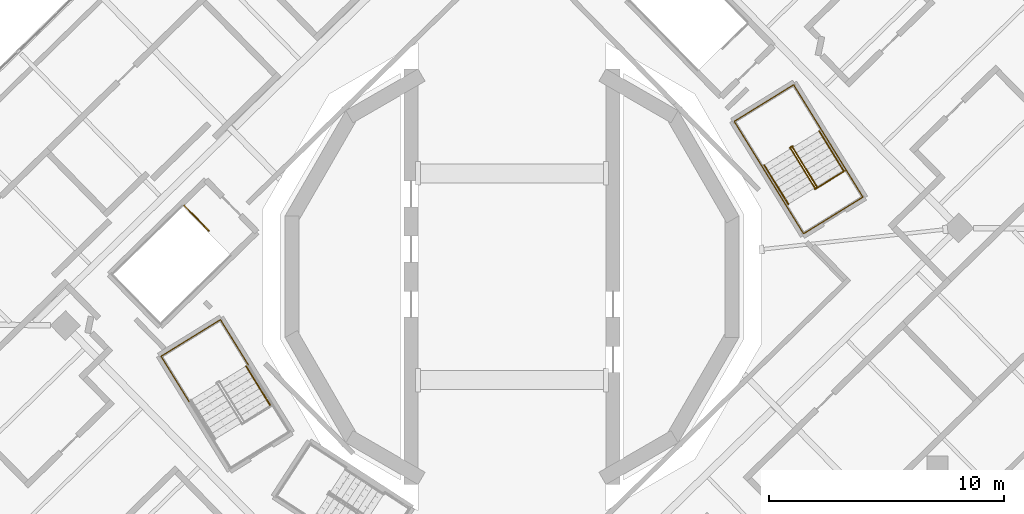
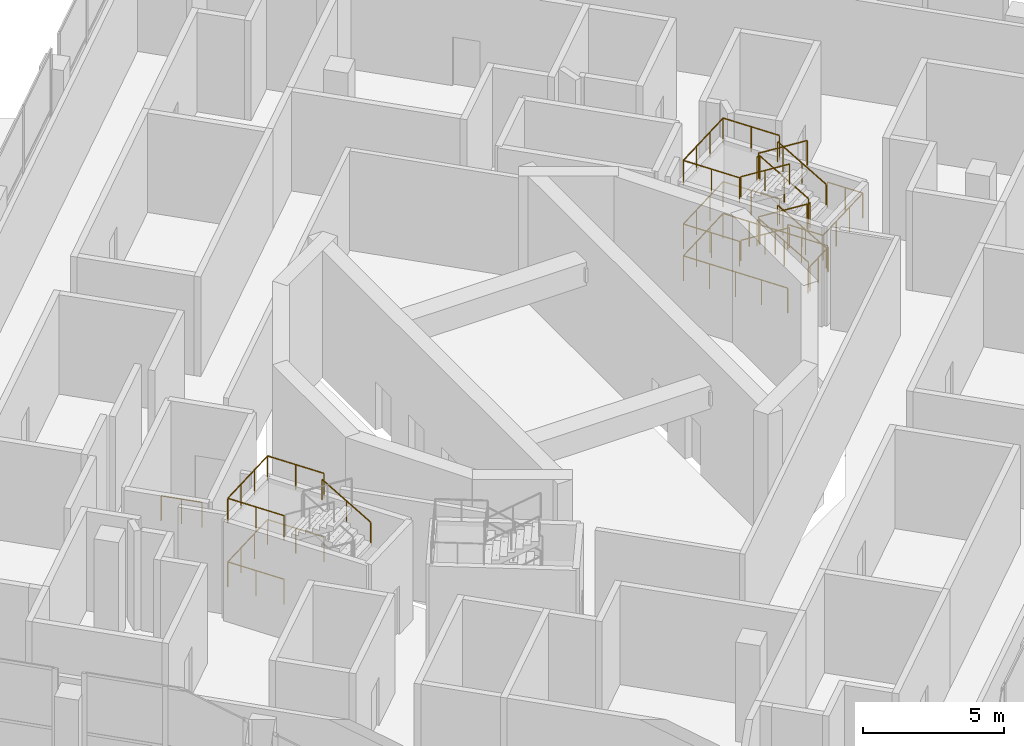
# One storey, part 19 of 20: 18 railings.
"""IFC4 building model written with IfcOpenShell, lengths in metres."""

from ifc_helpers import new_model, si_unit, direction, frame, origin, origin_2d, place, context, subcontext, project, spatial, circle, extrude, material, type_object, element, save


model = new_model("IFC4")

# Units and contexts
model_context = context("Model", 3, precision=1e-05, world=origin(), true_north=direction((0.0, 1.0)))
body_context = subcontext(model_context, "Body", "Model", "MODEL_VIEW")
ifc_project = project(units=[si_unit("LENGTHUNIT", "METRE"), si_unit("AREAUNIT", "SQUARE_METRE"), si_unit("VOLUMEUNIT", "CUBIC_METRE"), si_unit("PLANEANGLEUNIT", "RADIAN"), si_unit("MASSUNIT", "GRAM", prefix="KILO")], contexts=[model_context])

# Site, building, storey
site_placement = place(None, origin())
site = spatial("IfcSite", under=ifc_project, at=site_placement, CompositionType="ELEMENT")
building_placement = place(site_placement, origin())
building = spatial("IfcBuilding", under=site, at=building_placement, Name="Cantera Rosa Tower", CompositionType="ELEMENT")
storey_placement = place(building_placement, frame((0.0, 0.0, 245.0)))
storey = spatial("IfcBuildingStorey", under=building, at=storey_placement, Name="L54", CompositionType="ELEMENT", Elevation=245.0)

# Railings
ifc_material_1 = material(Name="Steel S355J2 (EN 10025-2)", Category="steel")
railing_type_1 = type_object("IfcRailingType", Name="STAIR GUARD 1100", PredefinedType="GUARDRAIL", material=ifc_material_1)
railing_1_placement = place(storey_placement, frame((14.174072265625, 4.513916015625, 0.0)))
element("IfcRailing", 1, at=railing_1_placement, inside=storey, type_object=railing_type_1, Name="L54 ST-41 top well guard 1", PredefinedType="GUARDRAIL", context=body_context, shape_type="SweptSolid", body=[
    extrude(circle(Radius=0.02392578125, at=origin_2d()), frame((0.0, 0.0, 1.076171875), z_axis=(-0.851138143202, -0.52494176933, 0.0), x_axis=(0.52494176933, -0.851138143202, 0.0)), (0.0, 0.0, 1.0), 1.5),
    extrude(circle(Radius=0.02099609375, at=origin_2d()), origin(), (0.0, 0.0, 1.0), 1.052001953125),
    extrude(circle(Radius=0.02099609375, at=origin_2d()), frame((-0.63818359375, -0.3935546875, 0.0)), (0.0, 0.0, 1.0), 1.052001953125),
    extrude(circle(Radius=0.02099609375, at=origin_2d()), frame((-1.276611328125, -0.787353515625, 0.0)), (0.0, 0.0, 1.0), 1.052001953125),
])
railing_2_placement = place(storey_placement, frame((14.192626953125, 4.59814453125, 0.0)))
element("IfcRailing", 2, at=railing_2_placement, inside=storey, type_object=railing_type_1, Name="L54 ST-41 top well guard 2", PredefinedType="GUARDRAIL", context=body_context, shape_type="SweptSolid", body=[
    extrude(circle(Radius=0.02392578125, at=origin_2d()), frame((0.0, 0.0, 1.076171875), z_axis=(-0.524976478809, 0.851116735059, 0.0), x_axis=(-0.851116735059, -0.524976478809, 0.0)), (0.0, 0.0, 1.0), 4.197998046875),
    extrude(circle(Radius=0.02392578125, at=origin_2d()), frame((-2.203857421875, 3.572998046875, 1.076171875), z_axis=(-0.851132917336, -0.524950242429, 0.0), x_axis=(0.524950242429, -0.851132917336, 0.0)), (0.0, 0.0, 1.0), 2.969970703125),
    extrude(circle(Radius=0.02392578125, at=origin_2d()), frame((-4.731689453125, 2.013916015625, 1.076171875), z_axis=(0.524976478809, -0.851116735059, 0.0), x_axis=(0.851116735059, 0.524976478809, 0.0)), (0.0, 0.0, 1.0), 4.197998046875),
    extrude(circle(Radius=0.02099609375, at=origin_2d()), origin(), (0.0, 0.0, 1.0), 1.052001953125),
    extrude(circle(Radius=0.02099609375, at=origin_2d()), frame((-0.551025390625, 0.893310546875, 0.0)), (0.0, 0.0, 1.0), 1.052001953125),
    extrude(circle(Radius=0.02099609375, at=origin_2d()), frame((-1.10205078125, 1.78662109375, 0.0)), (0.0, 0.0, 1.0), 1.052001953125),
    extrude(circle(Radius=0.02099609375, at=origin_2d()), frame((-1.65283203125, 2.6796875, 0.0)), (0.0, 0.0, 1.0), 1.052001953125),
    extrude(circle(Radius=0.02099609375, at=origin_2d()), frame((-2.203857421875, 3.572998046875, 0.0)), (0.0, 0.0, 1.0), 1.052001953125),
    extrude(circle(Radius=0.02099609375, at=origin_2d()), frame((-3.04638671875, 3.05322265625, 0.0)), (0.0, 0.0, 1.0), 1.052001953125),
    extrude(circle(Radius=0.02099609375, at=origin_2d()), frame((-3.88916015625, 2.53369140625, 0.0)), (0.0, 0.0, 1.0), 1.052001953125),
    extrude(circle(Radius=0.02099609375, at=origin_2d()), frame((-4.731689453125, 2.013916015625, 0.0)), (0.0, 0.0, 1.0), 1.052001953125),
    extrude(circle(Radius=0.02099609375, at=origin_2d()), frame((-4.1806640625, 1.12060546875, 0.0)), (0.0, 0.0, 1.0), 1.052001953125),
    extrude(circle(Radius=0.02099609375, at=origin_2d()), frame((-3.6298828125, 0.2275390625, 0.0)), (0.0, 0.0, 1.0), 1.052001953125),
    extrude(circle(Radius=0.02099609375, at=origin_2d()), frame((-3.078857421875, -0.665771484375, 0.0)), (0.0, 0.0, 1.0), 1.052001953125),
    extrude(circle(Radius=0.02099609375, at=origin_2d()), frame((-2.52783203125, -1.55908203125, 0.0)), (0.0, 0.0, 1.0), 1.052001953125),
])
railing_3_placement = place(storey_placement, frame((-13.958740234375, 3.032470703125, 0.0)))
element("IfcRailing", 3, at=railing_3_placement, inside=storey, type_object=railing_type_1, Name="L54 ST-43 top well guard 1", PredefinedType="GUARDRAIL", context=body_context, shape_type="SweptSolid", body=[
    extrude(circle(Radius=0.02392578125, at=origin_2d()), frame((0.0, 0.0, 1.076171875), z_axis=(0.698921594874, -0.71519829713, 0.0), x_axis=(0.71519829713, 0.698921594874, 0.0)), (0.0, 0.0, 1.0), 1.5),
    extrude(circle(Radius=0.02099609375, at=origin_2d()), origin(), (0.0, 0.0, 1.0), 1.052001953125),
    extrude(circle(Radius=0.02099609375, at=origin_2d()), frame((0.524169921875, -0.536376953125, 0.0)), (0.0, 0.0, 1.0), 1.052001953125),
    extrude(circle(Radius=0.02099609375, at=origin_2d()), frame((1.04833984375, -1.07275390625, 0.0)), (0.0, 0.0, 1.0), 1.052001953125),
])
railing_4_placement = place(storey_placement, frame((12.9765625, 3.834228515625, 0.171875)))
element("IfcRailing", 4, at=railing_4_placement, inside=storey, type_object=railing_type_1, Name="L54 ST-51 stair guard 1", PredefinedType="GUARDRAIL", context=body_context, shape_type="SweptSolid", body=[
    extrude(circle(Radius=0.02392578125, at=origin_2d()), frame((0.0, 0.0, 1.076171875), z_axis=(-0.447354972853, 0.725385982322, 0.523152659283), x_axis=(-0.85115324613, -0.524917280724, 0.0)), (0.0, 0.0, 1.0), 2.2998046875),
    extrude(circle(Radius=0.02392578125, at=origin_2d()), frame((-1.02880859375, 1.668212890625, 2.279296875), z_axis=(-0.073711968402, 0.997279572494, 0.0), x_axis=(-0.997279572494, -0.073711968402, 0.0)), (0.0, 0.0, 1.0), 0.056396484375),
    extrude(circle(Radius=0.02392578125, at=origin_2d()), frame((-1.032958984375, 1.724365234375, 2.279296875), z_axis=(-0.850819388589, -0.525458245725, 0.0), x_axis=(0.525458245725, -0.850819388589, 0.0)), (0.0, 0.0, 1.0), 0.150146484375),
    extrude(circle(Radius=0.02099609375, at=origin_2d()), origin(), (0.0, 0.0, 1.0), 1.052001953125),
    extrude(circle(Radius=0.02099609375, at=origin_2d()), frame((-0.514404296875, 0.833984375, 0.6015625)), (0.0, 0.0, 1.0), 1.052001953125),
    extrude(circle(Radius=0.02099609375, at=origin_2d()), frame((-1.02880859375, 1.668212890625, 1.203125)), (0.0, 0.0, 1.0), 1.052001953125),
    extrude(circle(Radius=0.02099609375, at=origin_2d()), frame((-1.032958984375, 1.724365234375, 1.203125)), (0.0, 0.0, 1.0), 1.052001953125),
    extrude(circle(Radius=0.02099609375, at=origin_2d()), frame((-1.16064453125, 1.6455078125, 1.203125)), (0.0, 0.0, 1.0), 1.052001953125),
])
railing_5_placement = place(storey_placement, frame((11.8642578125, 5.450927734375, 1.546875)))
element("IfcRailing", 5, at=railing_5_placement, inside=storey, type_object=railing_type_1, Name="L54 ST-51 stair guard 2", PredefinedType="GUARDRAIL", context=body_context, shape_type="SweptSolid", body=[
    extrude(circle(Radius=0.02392578125, at=origin_2d()), frame((0.0, 0.0, 1.076171875), z_axis=(0.447439880758, -0.725351531487, 0.523127813137), x_axis=(0.851097591167, 0.525007514528, 0.0)), (0.0, 0.0, 1.0), 2.2998046875),
    extrude(circle(Radius=0.02392578125, at=origin_2d()), frame((1.029052734375, -1.668212890625, 2.279296875), z_axis=(0.073711968402, -0.997279572494, 0.0), x_axis=(0.997279572494, 0.073711968402, 0.0)), (0.0, 0.0, 1.0), 0.056396484375),
    extrude(circle(Radius=0.02392578125, at=origin_2d()), frame((1.033203125, -1.724365234375, 2.279296875), z_axis=(0.851546489876, 0.524279100842, 0.0), x_axis=(-0.524279100842, 0.851546489876, 0.0)), (0.0, 0.0, 1.0), 0.14990234375),
    extrude(circle(Radius=0.02099609375, at=origin_2d()), origin(), (0.0, 0.0, 1.0), 1.052001953125),
    extrude(circle(Radius=0.02099609375, at=origin_2d()), frame((0.5146484375, -0.833984375, 0.6015625)), (0.0, 0.0, 1.0), 1.052001953125),
    extrude(circle(Radius=0.02099609375, at=origin_2d()), frame((1.029052734375, -1.668212890625, 1.203125)), (0.0, 0.0, 1.0), 1.052001953125),
    extrude(circle(Radius=0.02099609375, at=origin_2d()), frame((1.033203125, -1.724365234375, 1.203125)), (0.0, 0.0, 1.0), 1.052001953125),
    extrude(circle(Radius=0.02099609375, at=origin_2d()), frame((1.160888671875, -1.645751953125, 1.203125)), (0.0, 0.0, 1.0), 1.052001953125),
])
railing_6_placement = place(storey_placement, frame((12.9765625, 3.834228515625, 2.921875)))
element("IfcRailing", 6, at=railing_6_placement, inside=storey, type_object=railing_type_1, Name="L54 ST-51 stair guard 3", PredefinedType="GUARDRAIL", context=body_context, shape_type="SweptSolid", body=[
    extrude(circle(Radius=0.02392578125, at=origin_2d()), frame((0.0, 0.0, 1.076171875), z_axis=(-0.447354972853, 0.725385982322, 0.523152659283), x_axis=(-0.85115324613, -0.524917280724, 0.0)), (0.0, 0.0, 1.0), 2.2998046875),
    extrude(circle(Radius=0.02392578125, at=origin_2d()), frame((-1.02880859375, 1.668212890625, 2.279296875), z_axis=(-0.073711968402, 0.997279572494, 0.0), x_axis=(-0.997279572494, -0.073711968402, 0.0)), (0.0, 0.0, 1.0), 0.056396484375),
    extrude(circle(Radius=0.02392578125, at=origin_2d()), frame((-1.032958984375, 1.724365234375, 2.279296875), z_axis=(-0.850819388589, -0.525458245725, 0.0), x_axis=(0.525458245725, -0.850819388589, 0.0)), (0.0, 0.0, 1.0), 0.150146484375),
    extrude(circle(Radius=0.02099609375, at=origin_2d()), origin(), (0.0, 0.0, 1.0), 1.052001953125),
    extrude(circle(Radius=0.02099609375, at=origin_2d()), frame((-0.514404296875, 0.833984375, 0.6015625)), (0.0, 0.0, 1.0), 1.052001953125),
    extrude(circle(Radius=0.02099609375, at=origin_2d()), frame((-1.02880859375, 1.668212890625, 1.203125)), (0.0, 0.0, 1.0), 1.052001953125),
    extrude(circle(Radius=0.02099609375, at=origin_2d()), frame((-1.032958984375, 1.724365234375, 1.203125)), (0.0, 0.0, 1.0), 1.052001953125),
    extrude(circle(Radius=0.02099609375, at=origin_2d()), frame((-1.16064453125, 1.6455078125, 1.203125)), (0.0, 0.0, 1.0), 1.052001953125),
])
railing_7_placement = place(storey_placement, frame((11.8642578125, 5.450927734375, 4.296875)))
element("IfcRailing", 7, at=railing_7_placement, inside=storey, type_object=railing_type_1, Name="L54 ST-51 stair guard 4", PredefinedType="GUARDRAIL", context=body_context, shape_type="SweptSolid", body=[
    extrude(circle(Radius=0.02392578125, at=origin_2d()), frame((0.0, 0.0, 1.076171875), z_axis=(0.447439880758, -0.725351531487, 0.523127813137), x_axis=(0.851097591167, 0.525007514528, 0.0)), (0.0, 0.0, 1.0), 2.2998046875),
    extrude(circle(Radius=0.02099609375, at=origin_2d()), origin(), (0.0, 0.0, 1.0), 1.052001953125),
    extrude(circle(Radius=0.02099609375, at=origin_2d()), frame((0.5146484375, -0.833984375, 0.6015625)), (0.0, 0.0, 1.0), 1.052001953125),
    extrude(circle(Radius=0.02099609375, at=origin_2d()), frame((1.029052734375, -1.668212890625, 1.203125)), (0.0, 0.0, 1.0), 1.052001953125),
])
railing_8_placement = place(storey_placement, frame((13.025146484375, 3.80517578125, 0.0)))
element("IfcRailing", 8, at=railing_8_placement, inside=storey, type_object=railing_type_1, Name="L54 ST-51 stair guard 5", PredefinedType="GUARDRAIL", context=body_context, shape_type="SweptSolid", body=[
    extrude(circle(Radius=0.02392578125, at=origin_2d()), frame((0.0, 0.0, 1.076171875), z_axis=(-0.851546489876, -0.524279100842, 0.0), x_axis=(0.524279100842, -0.851546489876, 0.0)), (0.0, 0.0, 1.0), 0.14990234375),
    extrude(circle(Radius=0.02099609375, at=origin_2d()), origin(), (0.0, 0.0, 1.0), 1.052001953125),
    extrude(circle(Radius=0.02099609375, at=origin_2d()), frame((-0.127685546875, -0.07861328125, 0.0)), (0.0, 0.0, 1.0), 1.052001953125),
])
railing_9_placement = place(storey_placement, frame((13.17626953125, 6.24609375, 1.375)))
element("IfcRailing", 9, at=railing_9_placement, inside=storey, type_object=railing_type_1, Name="L54 ST-51 stair guard 6", PredefinedType="GUARDRAIL", context=body_context, shape_type="SweptSolid", body=[
    extrude(circle(Radius=0.02392578125, at=origin_2d()), frame((0.0, 0.0, 1.076171875), z_axis=(-0.525012514919, 0.851094506608, 0.0), x_axis=(-0.851094506608, -0.525012514919, 0.0)), (0.0, 0.0, 1.0), 2.261962890625),
    extrude(circle(Radius=0.02392578125, at=origin_2d()), frame((-1.1875, 1.925048828125, 1.076171875), z_axis=(-0.851132917336, -0.524950242429, 0.0), x_axis=(0.524950242429, -0.851132917336, 0.0)), (0.0, 0.0, 1.0), 2.969970703125),
    extrude(circle(Radius=0.02392578125, at=origin_2d()), frame((-3.71533203125, 0.365966796875, 1.076171875), z_axis=(0.524964287811, -0.851124254456, 0.0), x_axis=(0.851124254456, 0.524964287811, 0.0)), (0.0, 0.0, 1.0), 2.261962890625),
    extrude(circle(Radius=0.02099609375, at=origin_2d()), origin(), (0.0, 0.0, 1.0), 1.052001953125),
    extrude(circle(Radius=0.02099609375, at=origin_2d()), frame((-0.59375, 0.96240234375, 0.0)), (0.0, 0.0, 1.0), 1.052001953125),
    extrude(circle(Radius=0.02099609375, at=origin_2d()), frame((-1.1875, 1.925048828125, 0.0)), (0.0, 0.0, 1.0), 1.052001953125),
    extrude(circle(Radius=0.02099609375, at=origin_2d()), frame((-2.030029296875, 1.4052734375, 0.0)), (0.0, 0.0, 1.0), 1.052001953125),
    extrude(circle(Radius=0.02099609375, at=origin_2d()), frame((-2.872802734375, 0.8857421875, 0.0)), (0.0, 0.0, 1.0), 1.052001953125),
    extrude(circle(Radius=0.02099609375, at=origin_2d()), frame((-3.71533203125, 0.365966796875, 0.0)), (0.0, 0.0, 1.0), 1.052001953125),
    extrude(circle(Radius=0.02099609375, at=origin_2d()), frame((-3.12158203125, -0.5966796875, 0.0)), (0.0, 0.0, 1.0), 1.052001953125),
    extrude(circle(Radius=0.02099609375, at=origin_2d()), frame((-2.52783203125, -1.559326171875, 0.0)), (0.0, 0.0, 1.0), 1.052001953125),
])
railing_10_placement = place(storey_placement, frame((14.192626953125, 4.59814453125, 2.75)))
element("IfcRailing", 10, at=railing_10_placement, inside=storey, type_object=railing_type_1, Name="L54 ST-51 stair guard 7", PredefinedType="GUARDRAIL", context=body_context, shape_type="SweptSolid", body=[
    extrude(circle(Radius=0.02392578125, at=origin_2d()), frame((0.0, 0.0, 1.076171875), z_axis=(0.525035889828, -0.851080086944, 0.0), x_axis=(0.851080086944, 0.525035889828, 0.0)), (0.0, 0.0, 1.0), 1.421875),
    extrude(circle(Radius=0.02392578125, at=origin_2d()), frame((0.74658203125, -1.210205078125, 1.076171875), z_axis=(-0.851132917336, -0.524950242429, 0.0), x_axis=(0.524950242429, -0.851132917336, 0.0)), (0.0, 0.0, 1.0), 2.969970703125),
    extrude(circle(Radius=0.02392578125, at=origin_2d()), frame((-1.78125, -2.769287109375, 1.076171875), z_axis=(-0.525035889828, 0.851080086944, 0.0), x_axis=(-0.851080086944, -0.525035889828, 0.0)), (0.0, 0.0, 1.0), 1.421875),
    extrude(circle(Radius=0.02099609375, at=origin_2d()), origin(), (0.0, 0.0, 1.0), 1.052001953125),
    extrude(circle(Radius=0.02099609375, at=origin_2d()), frame((0.373291015625, -0.60498046875, 0.0)), (0.0, 0.0, 1.0), 1.052001953125),
    extrude(circle(Radius=0.02099609375, at=origin_2d()), frame((0.74658203125, -1.210205078125, 0.0)), (0.0, 0.0, 1.0), 1.052001953125),
    extrude(circle(Radius=0.02099609375, at=origin_2d()), frame((-0.095947265625, -1.72998046875, 0.0)), (0.0, 0.0, 1.0), 1.052001953125),
    extrude(circle(Radius=0.02099609375, at=origin_2d()), frame((-0.938720703125, -2.24951171875, 0.0)), (0.0, 0.0, 1.0), 1.052001953125),
    extrude(circle(Radius=0.02099609375, at=origin_2d()), frame((-1.78125, -2.769287109375, 0.0)), (0.0, 0.0, 1.0), 1.052001953125),
    extrude(circle(Radius=0.02099609375, at=origin_2d()), frame((-2.154541015625, -2.1640625, 0.0)), (0.0, 0.0, 1.0), 1.052001953125),
    extrude(circle(Radius=0.02099609375, at=origin_2d()), frame((-2.52783203125, -1.55908203125, 0.0)), (0.0, 0.0, 1.0), 1.052001953125),
])
for number, where, name in (
    (11, (13.17626953125, 6.24609375, 4.125), "L54 ST-51 stair guard 8"),
    (12, (-11.223876953125, -3.75390625, 1.375), "L54 ST-52 stair guard 6"),
    (13, (-11.223876953125, -3.75390625, 4.125), "L54 ST-52 stair guard 8"),
):
    element("IfcRailing", number, at=place(storey_placement, frame(where)), inside=storey, type_object=railing_type_1, Name=name, PredefinedType="GUARDRAIL", context=body_context, shape_type="SweptSolid", body=[
        extrude(circle(Radius=0.02392578125, at=origin_2d()), frame((0.0, 0.0, 1.076171875), z_axis=(-0.525012514919, 0.851094506608, 0.0), x_axis=(-0.851094506608, -0.525012514919, 0.0)), (0.0, 0.0, 1.0), 2.261962890625),
        extrude(circle(Radius=0.02392578125, at=origin_2d()), frame((-1.1875, 1.925048828125, 1.076171875), z_axis=(-0.851132917336, -0.524950242429, 0.0), x_axis=(0.524950242429, -0.851132917336, 0.0)), (0.0, 0.0, 1.0), 2.969970703125),
        extrude(circle(Radius=0.02392578125, at=origin_2d()), frame((-3.71533203125, 0.365966796875, 1.076171875), z_axis=(0.524964287811, -0.851124254456, 0.0), x_axis=(0.851124254456, 0.524964287811, 0.0)), (0.0, 0.0, 1.0), 2.261962890625),
        extrude(circle(Radius=0.02099609375, at=origin_2d()), origin(), (0.0, 0.0, 1.0), 1.052001953125),
        extrude(circle(Radius=0.02099609375, at=origin_2d()), frame((-0.59375, 0.96240234375, 0.0)), (0.0, 0.0, 1.0), 1.052001953125),
        extrude(circle(Radius=0.02099609375, at=origin_2d()), frame((-1.1875, 1.925048828125, 0.0)), (0.0, 0.0, 1.0), 1.052001953125),
        extrude(circle(Radius=0.02099609375, at=origin_2d()), frame((-2.030029296875, 1.4052734375, 0.0)), (0.0, 0.0, 1.0), 1.052001953125),
        extrude(circle(Radius=0.02099609375, at=origin_2d()), frame((-2.872802734375, 0.8857421875, 0.0)), (0.0, 0.0, 1.0), 1.052001953125),
        extrude(circle(Radius=0.02099609375, at=origin_2d()), frame((-3.71533203125, 0.365966796875, 0.0)), (0.0, 0.0, 1.0), 1.052001953125),
        extrude(circle(Radius=0.02099609375, at=origin_2d()), frame((-3.12158203125, -0.5966796875, 0.0)), (0.0, 0.0, 1.0), 1.052001953125),
        extrude(circle(Radius=0.02099609375, at=origin_2d()), frame((-2.52783203125, -1.559326171875, 0.0)), (0.0, 0.0, 1.0), 1.052001953125),
    ])
ifc_material_2 = material(Name="Steel S355J2 (EN 10025-2)", Category="steel")
railing_type_2 = type_object("IfcRailingType", Name="STAIR HANDRAIL 900", PredefinedType="HANDRAIL", material=ifc_material_2)
railing_11_placement = place(storey_placement, frame((14.105224609375, 4.5302734375, 0.171875)))
element("IfcRailing", 14, at=railing_11_placement, inside=storey, type_object=railing_type_2, Name="L54 ST-51 stair handrail 1", PredefinedType="HANDRAIL", context=body_context, shape_type="SweptSolid", body=[
    extrude(circle(Radius=0.02392578125, at=origin_2d()), frame((0.0, 0.0, 0.8759765625), z_axis=(-0.447354972853, 0.725385982322, 0.523152659283), x_axis=(-0.85115324613, -0.524917280724, 0.0)), (0.0, 0.0, 1.0), 2.2998046875),
    extrude(circle(Radius=0.02099609375, at=origin_2d()), origin(), (0.0, 0.0, 1.0), 0.851806640625),
    extrude(circle(Radius=0.02099609375, at=origin_2d()), frame((-0.514404296875, 0.833984375, 0.6015625)), (0.0, 0.0, 1.0), 0.851806640625),
    extrude(circle(Radius=0.02099609375, at=origin_2d()), frame((-1.02880859375, 1.668212890625, 1.203125)), (0.0, 0.0, 1.0), 0.851806640625),
])
railing_12_placement = place(storey_placement, frame((10.73583984375, 4.7548828125, 1.546875)))
element("IfcRailing", 15, at=railing_12_placement, inside=storey, type_object=railing_type_2, Name="L54 ST-51 stair handrail 2", PredefinedType="HANDRAIL", context=body_context, shape_type="SweptSolid", body=[
    extrude(circle(Radius=0.02392578125, at=origin_2d()), frame((0.0, 0.0, 0.8759765625), z_axis=(0.447354972853, -0.725385982322, 0.523152659283), x_axis=(0.85115324613, 0.524917280724, 0.0)), (0.0, 0.0, 1.0), 2.2998046875),
    extrude(circle(Radius=0.02099609375, at=origin_2d()), origin(), (0.0, 0.0, 1.0), 0.851806640625),
    extrude(circle(Radius=0.02099609375, at=origin_2d()), frame((0.514404296875, -0.833984375, 0.6015625)), (0.0, 0.0, 1.0), 0.851806640625),
    extrude(circle(Radius=0.02099609375, at=origin_2d()), frame((1.02880859375, -1.668212890625, 1.203125)), (0.0, 0.0, 1.0), 0.851806640625),
])
railing_13_placement = place(storey_placement, frame((14.105224609375, 4.5302734375, 2.921875)))
element("IfcRailing", 16, at=railing_13_placement, inside=storey, type_object=railing_type_2, Name="L54 ST-51 stair handrail 3", PredefinedType="HANDRAIL", context=body_context, shape_type="SweptSolid", body=[
    extrude(circle(Radius=0.02392578125, at=origin_2d()), frame((0.0, 0.0, 0.8759765625), z_axis=(-0.447354972853, 0.725385982322, 0.523152659283), x_axis=(-0.85115324613, -0.524917280724, 0.0)), (0.0, 0.0, 1.0), 2.2998046875),
    extrude(circle(Radius=0.02099609375, at=origin_2d()), origin(), (0.0, 0.0, 1.0), 0.851806640625),
    extrude(circle(Radius=0.02099609375, at=origin_2d()), frame((-0.514404296875, 0.833984375, 0.6015625)), (0.0, 0.0, 1.0), 0.851806640625),
    extrude(circle(Radius=0.02099609375, at=origin_2d()), frame((-1.02880859375, 1.668212890625, 1.203125)), (0.0, 0.0, 1.0), 0.851806640625),
])
railing_14_placement = place(storey_placement, frame((10.73583984375, 4.7548828125, 4.296875)))
element("IfcRailing", 17, at=railing_14_placement, inside=storey, type_object=railing_type_2, Name="L54 ST-51 stair handrail 4", PredefinedType="HANDRAIL", context=body_context, shape_type="SweptSolid", body=[
    extrude(circle(Radius=0.02392578125, at=origin_2d()), frame((0.0, 0.0, 0.8759765625), z_axis=(0.447354972853, -0.725385982322, 0.523152659283), x_axis=(0.85115324613, 0.524917280724, 0.0)), (0.0, 0.0, 1.0), 2.2998046875),
    extrude(circle(Radius=0.02099609375, at=origin_2d()), origin(), (0.0, 0.0, 1.0), 0.851806640625),
    extrude(circle(Radius=0.02099609375, at=origin_2d()), frame((0.514404296875, -0.833984375, 0.6015625)), (0.0, 0.0, 1.0), 0.851806640625),
    extrude(circle(Radius=0.02099609375, at=origin_2d()), frame((1.02880859375, -1.668212890625, 1.203125)), (0.0, 0.0, 1.0), 0.851806640625),
])
railing_15_placement = place(storey_placement, frame((-10.294677734375, -5.4697265625, 2.921875)))
element("IfcRailing", 18, at=railing_15_placement, inside=storey, type_object=railing_type_2, Name="L54 ST-52 stair handrail 3", PredefinedType="HANDRAIL", context=body_context, shape_type="SweptSolid", body=[
    extrude(circle(Radius=0.02392578125, at=origin_2d()), frame((0.0, 0.0, 0.8759765625), z_axis=(-0.447439880758, 0.725351531487, 0.523127813137), x_axis=(-0.851097591167, -0.525007514528, 0.0)), (0.0, 0.0, 1.0), 2.2998046875),
    extrude(circle(Radius=0.02099609375, at=origin_2d()), origin(), (0.0, 0.0, 1.0), 0.851806640625),
    extrude(circle(Radius=0.02099609375, at=origin_2d()), frame((-0.5146484375, 0.833984375, 0.6015625)), (0.0, 0.0, 1.0), 0.851806640625),
    extrude(circle(Radius=0.02099609375, at=origin_2d()), frame((-1.029052734375, 1.668212890625, 1.203125)), (0.0, 0.0, 1.0), 0.851806640625),
])

save(model, "model.ifc")
